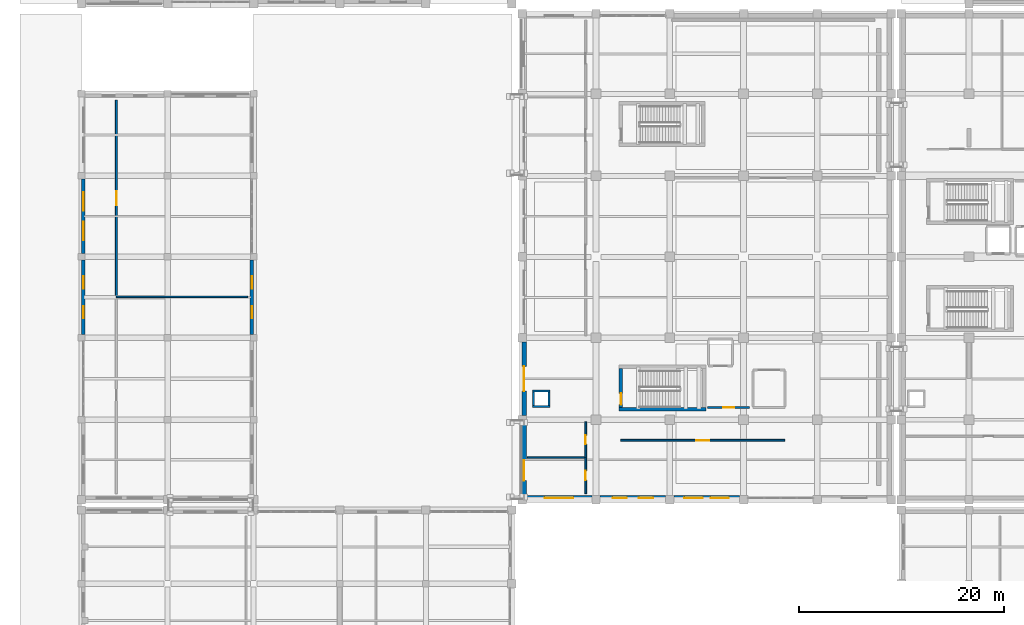
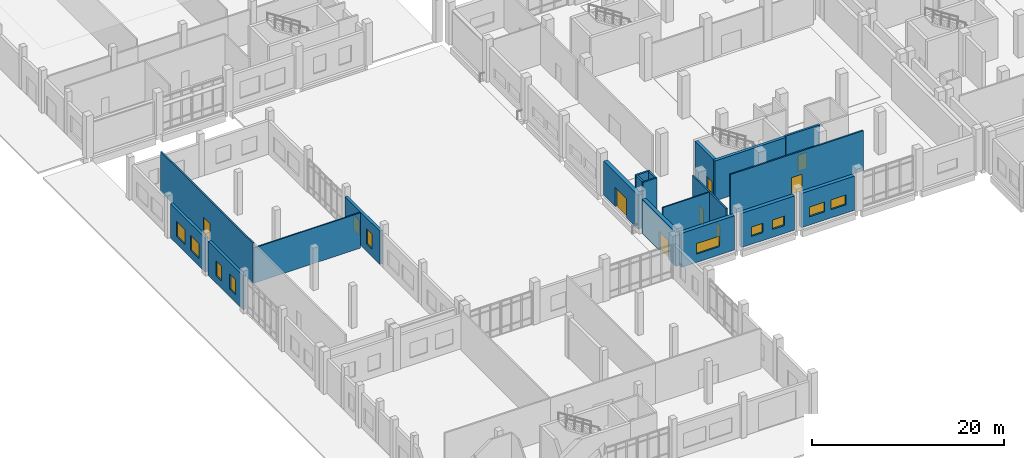
# One storey, part 52 of 79: 21 walls, 11 windows, 8 doors, 19 openings.
"""IFC4 building model written with IfcOpenShell, lengths in metres."""

import ifcopenshell
import ifcopenshell.guid

model = None  # the IFC model being written
_history = None  # IfcOwnerHistory: only IFC2X3 demands one
_inside = {}  # id of a spatial element -> (the spatial element, [elements in it])
_under = {}  # id of a project, library or spatial element -> (it, [spatial elements below it])
_declared = {}  # id of a project -> (the project, [libraries it declares])
_typed = {}  # id of a type object -> (the type object, [elements of that type])
_made_of = {}  # id of a material, layer set ... -> (it, [elements and type objects made of it])


def new_model(schema):
    """Start an empty IFC model of exactly this schema.

    Asked for "IFC4X3", IfcOpenShell would pick the latest addendum, in which some entities
    have other attributes; the version numbers below select the first issue.
    IFC2X3 requires an IfcOwnerHistory on every rooted entity: one is made here for all.
    """
    global model, _history
    if schema == "IFC4X3":
        model = ifcopenshell.file(schema_version=(4, 3, 0, 0))
    else:
        model = ifcopenshell.file(schema=schema)
    _inside.clear()
    _under.clear()
    _declared.clear()
    _typed.clear()
    _made_of.clear()
    _history = None
    if model.schema == "IFC2X3":
        org = make("IfcOrganization", Name="unknown")
        user = make(
            "IfcPersonAndOrganization",
            ThePerson=make("IfcPerson", FamilyName="unknown"),
            TheOrganization=org,
        )
        app = make(
            "IfcApplication",
            ApplicationDeveloper=org,
            Version="unknown",
            ApplicationFullName="unknown",
            ApplicationIdentifier="unknown",
        )
        _history = make(
            "IfcOwnerHistory",
            OwningUser=user,
            OwningApplication=app,
            ChangeAction="ADDED",
            CreationDate=0,
        )
    return model


def make(cls, **values):
    """One entity of the class cls with the attributes given. An attribute that is None is left unset."""
    return model.create_entity(
        cls, **{name: value for name, value in values.items() if value is not None}
    )


def rooted(cls, **values):
    """An entity with a GlobalId (a new one), such as an element, a storey or a relation."""
    return make(cls, GlobalId=ifcopenshell.guid.new(), OwnerHistory=_history, **values)


def si_unit(unit_type, name, prefix=None):
    """IfcSIUnit, for example si_unit("LENGTHUNIT", "METRE", prefix="MILLI")."""
    return make("IfcSIUnit", UnitType=unit_type, Prefix=prefix, Name=name)


def assignment(units):
    """IfcUnitAssignment: the units of a project."""
    return None if units is None else make("IfcUnitAssignment", Units=units)


def point(xyz):
    """IfcCartesianPoint."""
    return None if xyz is None else make("IfcCartesianPoint", Coordinates=xyz)


def direction(xyz):
    """IfcDirection."""
    return None if xyz is None else make("IfcDirection", DirectionRatios=xyz)


def frame(location, z_axis=None, x_axis=None):
    """IfcAxis2Placement3D, a coordinate frame: its origin and axes. An axis left out is left unset."""
    return make(
        "IfcAxis2Placement3D",
        Location=point(location),
        Axis=direction(z_axis),
        RefDirection=direction(x_axis),
    )


def frame_2d(location, x_axis=None):
    """IfcAxis2Placement2D, a coordinate frame in the plane: its origin and x axis."""
    return make(
        "IfcAxis2Placement2D", Location=point(location), RefDirection=direction(x_axis)
    )


def origin():
    """The frame at (0, 0, 0) with its axes left unset."""
    return frame((0.0, 0.0, 0.0))


def place(relative_to, where):
    """IfcLocalPlacement: puts the frame where relative to a parent placement (None: the world)."""
    return make(
        "IfcLocalPlacement", PlacementRelTo=relative_to, RelativePlacement=where
    )


def context(
    kind, dimensions, precision=None, world=None, true_north=None, identifier=None
):
    """IfcGeometricRepresentationContext, for example the 3D "Model" context."""
    return make(
        "IfcGeometricRepresentationContext",
        ContextIdentifier=identifier,
        ContextType=kind,
        CoordinateSpaceDimension=dimensions,
        Precision=precision,
        WorldCoordinateSystem=world,
        TrueNorth=true_north,
    )


def subcontext(parent, identifier, kind, view, scale=None):
    """IfcGeometricRepresentationSubContext, for example "Body" below "Model"."""
    return make(
        "IfcGeometricRepresentationSubContext",
        ContextIdentifier=identifier,
        ContextType=kind,
        ParentContext=parent,
        TargetScale=scale,
        TargetView=view,
    )


def project(units=None, contexts=None):
    """IfcProject with its units and contexts."""
    return rooted(
        "IfcProject",
        Name="project",
        RepresentationContexts=contexts,
        UnitsInContext=assignment(units),
    )


def spatial(cls, under=None, at=None, **own):
    """A site, building, storey or space (cls), placed at a placement, below another one or the project."""
    s = rooted(cls, ObjectPlacement=at, **own)
    if under is not None:
        _under.setdefault(under.id(), (under, []))[1].append(s)
    return s


def profile(cls, at=None, kind="AREA", **sizes):
    """A parametric profile (cls). Its sizes go by their IFC names, for example OverallWidth=200.0."""
    return make(cls, ProfileType=kind, Position=at, **sizes)


def rectangle(**sizes):
    """IfcRectangleProfileDef."""
    return profile("IfcRectangleProfileDef", **sizes)


def extrude(swept, where, along, depth):
    """IfcExtrudedAreaSolid: the profile swept, set in the frame where, extruded along a direction by depth."""
    return make(
        "IfcExtrudedAreaSolid",
        SweptArea=swept,
        Position=where,
        ExtrudedDirection=direction(along),
        Depth=depth,
    )


def shape(context_of_items, identifier, shape_type, items):
    """IfcShapeRepresentation: the items that make up one representation, for example the "Body"."""
    return make(
        "IfcShapeRepresentation",
        ContextOfItems=context_of_items,
        RepresentationIdentifier=identifier,
        RepresentationType=shape_type,
        Items=items,
    )


def material(Name=None, Category=None):
    """IfcMaterial."""
    return make("IfcMaterial", Name=Name, Category=Category)


def layer(
    of_material, thickness, ventilated=None, Name=None, Category=None, Priority=None
):
    """IfcMaterialLayer: one layer of a wall or slab, of a material (None: an air gap)."""
    return make(
        "IfcMaterialLayer",
        Material=of_material,
        LayerThickness=thickness,
        IsVentilated=ventilated,
        Name=Name,
        Category=Category,
        Priority=Priority,
    )


def layer_set(layers, Name=None):
    """IfcMaterialLayerSet."""
    return make("IfcMaterialLayerSet", MaterialLayers=layers, LayerSetName=Name)


def made_of(thing, what):
    """Note that an element or type object is made of a material, layer set ...; save() writes the relation."""
    if what is not None:
        _made_of.setdefault(what.id(), (what, []))[1].append(thing)
    return thing


def type_object(cls, material=None, **own):
    """A type object (cls), such as IfcWallType, which elements share."""
    return made_of(rooted(cls, **own), material)


def element(
    cls,
    number,
    at=None,
    inside=None,
    cuts=None,
    type_object=None,
    material=None,
    context=None,
    identifier="Body",
    shape_type=None,
    held_by="IfcProductDefinitionShape",
    body=None,
    shapes=None,
    **own,
):
    """One element of the class cls, such as IfcWall. Its Tag is "e" and its number.

    at: its placement. inside: the storey or other place that contains it. cuts: it is an
    opening in that element (IfcRelVoidsElement). A single representation is given by context,
    identifier, shape_type and body (its items); several are given by shapes. held_by: the class
    of the entity that holds the representations. save() writes the other relations.
    """
    e = rooted(cls, Tag="e%d" % number, ObjectPlacement=at, **own)
    if body is not None:
        shapes = [shape(context, identifier, shape_type, body)]
    if shapes is not None:
        e.Representation = make(held_by, Representations=shapes)
    if inside is not None:
        _inside.setdefault(inside.id(), (inside, []))[1].append(e)
    if cuts is not None:
        rooted(
            "IfcRelVoidsElement", RelatingBuildingElement=cuts, RelatedOpeningElement=e
        )
    if type_object is not None:
        _typed.setdefault(type_object.id(), (type_object, []))[1].append(e)
    return made_of(e, material)


def fill(opening, filler):
    """IfcRelFillsElement: the door or window that sits in an opening."""
    return rooted(
        "IfcRelFillsElement",
        RelatingOpeningElement=opening,
        RelatedBuildingElement=filler,
    )


def aggregate(whole, parts):
    """IfcRelAggregates: a whole, such as a stair, and the parts it consists of."""
    return rooted("IfcRelAggregates", RelatingObject=whole, RelatedObjects=parts)


def save(model, path):
    """Write the relations noted so far, then the file.

    IfcRelAggregates (storeys below a building ...), IfcRelContainedInSpatialStructure (elements
    in a storey), IfcRelDefinesByType, IfcRelAssociatesMaterial and IfcRelDeclares: one each for
    every whole, place, type object, material and project.
    """
    for whole, parts in _under.values():
        aggregate(whole, parts)
    for where, things in _inside.values():
        rooted(
            "IfcRelContainedInSpatialStructure",
            RelatedElements=things,
            RelatingStructure=where,
        )
    for kind, things in _typed.values():
        rooted("IfcRelDefinesByType", RelatedObjects=things, RelatingType=kind)
    for what, things in _made_of.values():
        rooted("IfcRelAssociatesMaterial", RelatedObjects=things, RelatingMaterial=what)
    for by, libraries in _declared.values():
        rooted("IfcRelDeclares", RelatingContext=by, RelatedDefinitions=libraries)
    model.write(path)


model = new_model("IFC4")

# Units and contexts
model_context = context("Model", 3, precision=1e-05, world=origin(), true_north=direction((0.0, 1.0)))
body_context = subcontext(model_context, "Body", "Model", "MODEL_VIEW")
ifc_project = project(units=[si_unit("LENGTHUNIT", "METRE"), si_unit("AREAUNIT", "SQUARE_METRE"), si_unit("VOLUMEUNIT", "CUBIC_METRE"), si_unit("PLANEANGLEUNIT", "RADIAN"), si_unit("MASSUNIT", "GRAM", prefix="KILO")], contexts=[model_context])

# Site, building, storey
site_placement = place(None, origin())
site = spatial("IfcSite", under=ifc_project, at=site_placement, CompositionType="ELEMENT")
building_placement = place(site_placement, origin())
building = spatial("IfcBuilding", under=site, at=building_placement, Name="Kelarvand Opera House", CompositionType="ELEMENT")
storey_placement = place(building_placement, origin())
storey = spatial("IfcBuildingStorey", under=building, at=storey_placement, Name="L00", CompositionType="ELEMENT", Elevation=0.0)

# Walls
ifc_material_1 = material(Name="Acoustic double-stud gypsum partition")
ifc_layer_1 = layer(ifc_material_1, 0.14990234375, Name="Acoustic double-stud gypsum partition")
ifc_layer_set_1 = layer_set([ifc_layer_1], Name="Acoustic double-stud gypsum partition")
wall_type_1 = type_object("IfcWallType", Name="Acoustic Room Partition Wall 150", PredefinedType="PARTITIONING", material=ifc_layer_set_1)
wall_1_placement = place(storey_placement, frame((52.5, 42.89990234375, 0.0), z_axis=(0.0, 0.0, 1.0), x_axis=(1.0, 0.0, 0.0)))
element("IfcWall", 1, at=wall_1_placement, inside=storey, type_object=wall_type_1, Name="V2 L00 Partition Wall IW-150 (270)", PredefinedType="PARTITIONING", context=body_context, shape_type="SweptSolid", body=[
    extrude(rectangle(XDim=5.699951171875, YDim=0.14990234375, at=frame_2d((2.85009765625, 0.0))), origin(), (0.0, 0.0, 1.0), 5.092041015625),
])
wall_2_placement = place(storey_placement, frame((12.39990234375, 58.60009765625, 0.0), z_axis=(0.0, 0.0, 1.0), x_axis=(1.0, 0.0, 0.0)))
element("IfcWall", 2, at=wall_2_placement, inside=storey, type_object=wall_type_1, Name="V4 L00 Partition Wall IW-150 (297)", PredefinedType="PARTITIONING", context=body_context, shape_type="SweptSolid", body=[
    extrude(rectangle(XDim=12.800048828125, YDim=0.14990234375, at=frame_2d((6.39990234375, 0.0))), origin(), (0.0, 0.0, 1.0), 4.491943359375),
])
ifc_material_2 = material(Name="Concrete C40/50", Category="concrete")
ifc_layer_2 = layer(ifc_material_2, 0.35009765625, Name="Concrete C40/50", Category="concrete")
ifc_layer_set_2 = layer_set([ifc_layer_2], Name="Concrete C40/50")
wall_type_2 = type_object("IfcWallType", Name="Core Stair and Lift Shear Wall 350", PredefinedType="SHEAR", material=ifc_layer_set_2)
wall_3_placement = place(storey_placement, frame((61.449951171875, 47.625, 0.0), z_axis=(0.0, 0.0, 1.0), x_axis=(1.0, 0.0, 0.0)))
element("IfcWall", 3, at=wall_3_placement, inside=storey, type_object=wall_type_2, Name="C2 Stair Core Shear Wall S L00", PredefinedType="SHEAR", context=body_context, shape_type="SweptSolid", body=[
    extrude(rectangle(XDim=8.5, YDim=0.35009765625, at=frame_2d((4.25, 0.0))), origin(), (0.0, 0.0, 1.0), 5.10009765625),
])

# Wall, opening, door
wall_4_placement = place(storey_placement, frame((61.625, 47.800048828125, 0.0), z_axis=(0.0, 0.0, 1.0), x_axis=(0.0, 1.0, 0.0)))
wall_4 = element("IfcWall", 4, at=wall_4_placement, inside=storey, type_object=wall_type_2, Name="C2 Stair Core Shear Wall W L00", PredefinedType="SHEAR", context=body_context, shape_type="SweptSolid", body=[
    extrude(rectangle(XDim=3.800048828125, YDim=0.35009765625, at=frame_2d((1.89990234375, 0.0))), origin(), (0.0, 0.0, 1.0), 5.10009765625),
])
opening_1_placement = place(wall_4_placement, frame((0.280029296875, 0.0, 0.0)))
opening_1 = element("IfcOpeningElement", 5, at=opening_1_placement, cuts=wall_4, Name="Opening FD-01", PredefinedType="OPENING", context=body_context, shape_type="SweptSolid", body=[
    extrude(rectangle(XDim=1.10009765625, YDim=2.080078125, at=frame_2d((0.550048828125, 1.0400390625))), frame((0.0, 0.18505859375, 0.0), z_axis=(0.0, -1.0, 0.0), x_axis=(1.0, 0.0, 0.0)), (0.0, 0.0, 1.0), 0.3701171875),
])
ifc_material_3 = material(Name="Fire-rated brushed stainless steel", Category="steel")
door_type_1 = type_object("IfcDoorType", Name="Steel Fire-Rated Stair and FF Lobby Door 1100x2080", OperationType="NOTDEFINED", PredefinedType="DOOR", material=ifc_material_3)
door_1_placement = place(opening_1_placement, origin())
door_1 = element("IfcDoor", 6, at=door_1_placement, inside=storey, type_object=door_type_1, Name="C2 Stair ST-02 Fire Door L00", OperationType="SINGLE_SWING_LEFT", OverallHeight=2.080078125, OverallWidth=1.10009765625, PredefinedType="DOOR", context=body_context, shape_type="SweptSolid", body=[
    extrude(rectangle(XDim=1.10009765625, YDim=2.080078125, at=frame_2d((0.550048828125, 1.0400390625))), frame((0.0, 0.02490234375, 0.0), z_axis=(0.0, -1.0, 0.0), x_axis=(1.0, 0.0, 0.0)), (0.0, 0.0, 1.0), 0.050048828125),
])
fill(opening_1, door_1)

ifc_material_4 = material(Name="Concrete C35/45", Category="concrete")
ifc_layer_3 = layer(ifc_material_4, 0.179931640625, Name="Concrete C35/45", Category="concrete")
ifc_layer_set_3 = layer_set([ifc_layer_3], Name="Concrete C35/45")
wall_type_3 = type_object("IfcWallType", Name="Corridor Fire-Rated Partition Wall 180 EI90", PredefinedType="PARTITIONING", material=ifc_layer_set_3)
wall_5_placement = place(storey_placement, frame((61.60009765625, 44.60009765625, 0.0), z_axis=(0.0, 0.0, 1.0), x_axis=(1.0, 0.0, 0.0)))
wall_5 = element("IfcWall", 7, at=wall_5_placement, inside=storey, type_object=wall_type_3, Name="V2 L00 Partition Wall IW-90 (263)", PredefinedType="PARTITIONING", context=body_context, shape_type="SweptSolid", body=[
    extrude(rectangle(XDim=16.0, YDim=0.179931640625, at=frame_2d((8.0, 0.0))), origin(), (0.0, 0.0, 1.0), 5.092041015625),
])
opening_2_placement = place(wall_5_placement, frame((7.360107421875, 0.0, 0.0)))
opening_2 = element("IfcOpeningElement", 8, at=opening_2_placement, cuts=wall_5, Name="Opening D-11", PredefinedType="OPENING", context=body_context, shape_type="SweptSolid", body=[
    extrude(rectangle(XDim=1.280029296875, YDim=2.139892578125, at=frame_2d((0.64013671875, 1.06982421875))), frame((0.0, 0.10009765625, 0.0), z_axis=(0.0, -1.0, 0.0), x_axis=(1.0, 0.0, 0.0)), (0.0, 0.0, 1.0), 0.199951171875),
])
ifc_material_5 = material(Name="Acoustic walnut-veneered hardwood", Category="wood")
door_type_2 = type_object("IfcDoorType", Name="Instrument Store Leaf-and-Half Door 1280x2140", OperationType="NOTDEFINED", PredefinedType="DOOR", material=ifc_material_5)
door_2_placement = place(opening_2_placement, origin())
door_2 = element("IfcDoor", 9, at=door_2_placement, inside=storey, type_object=door_type_2, Name="V2 L00 Door D-11 (112)", OperationType="SINGLE_SWING_RIGHT", OverallHeight=2.139892578125, OverallWidth=1.280029296875, PredefinedType="DOOR", context=body_context, shape_type="SweptSolid", body=[
    extrude(rectangle(XDim=1.280029296875, YDim=2.139892578125, at=frame_2d((0.64013671875, 1.06982421875))), frame((0.0, 0.02490234375, 0.0), z_axis=(0.0, -1.0, 0.0), x_axis=(1.0, 0.0, 0.0)), (0.0, 0.0, 1.0), 0.050048828125),
])
fill(opening_2, door_2)

wall_6_placement = place(storey_placement, frame((58.199951171875, 39.39990234375, 0.0), z_axis=(0.0, 0.0, 1.0), x_axis=(0.0, 1.0, 0.0)))
wall_6 = element("IfcWall", 10, at=wall_6_placement, inside=storey, type_object=wall_type_3, Name="V2 L00 Partition Wall IW-90 (269)", PredefinedType="PARTITIONING", context=body_context, shape_type="SweptSolid", body=[
    extrude(rectangle(XDim=3.5, YDim=0.179931640625, at=frame_2d((1.75, 0.0))), origin(), (0.0, 0.0, 1.0), 5.092041015625),
])
opening_3_placement = place(wall_6_placement, frame((1.2900390625, 0.0, 0.0)))
opening_3 = element("IfcOpeningElement", 11, at=opening_3_placement, cuts=wall_6, Name="Opening D-01", PredefinedType="OPENING", context=body_context, shape_type="SweptSolid", body=[
    extrude(rectangle(XDim=0.919921875, YDim=2.050048828125, at=frame_2d((0.4599609375, 1.02490234375))), frame((0.0, 0.10009765625, 0.0), z_axis=(0.0, -1.0, 0.0), x_axis=(1.0, 0.0, 0.0)), (0.0, 0.0, 1.0), 0.199951171875),
])
door_type_3 = type_object("IfcDoorType", Name="Solid Timber Dressing and WC Door 920x2050", OperationType="NOTDEFINED", PredefinedType="DOOR", material=ifc_material_5)
door_3_placement = place(opening_3_placement, origin())
door_3 = element("IfcDoor", 12, at=door_3_placement, inside=storey, type_object=door_type_3, Name="V2 L00 Door D-01 (115)", OperationType="SINGLE_SWING_LEFT", OverallHeight=2.050048828125, OverallWidth=0.919921875, PredefinedType="DOOR", context=body_context, shape_type="SweptSolid", body=[
    extrude(rectangle(XDim=0.919921875, YDim=2.050048828125, at=frame_2d((0.4599609375, 1.02490234375))), frame((0.0, 0.02490234375, 0.0), z_axis=(0.0, -1.0, 0.0), x_axis=(1.0, 0.0, 0.0)), (0.0, 0.0, 1.0), 0.050048828125),
])
fill(opening_3, door_3)

wall_7_placement = place(storey_placement, frame((58.199951171875, 42.89990234375, 0.0), z_axis=(0.0, 0.0, 1.0), x_axis=(0.0, 1.0, 0.0)))
wall_7 = element("IfcWall", 13, at=wall_7_placement, inside=storey, type_object=wall_type_3, Name="V2 L00 Partition Wall IW-90 (271)", PredefinedType="PARTITIONING", context=body_context, shape_type="SweptSolid", body=[
    extrude(rectangle(XDim=3.5, YDim=0.179931640625, at=frame_2d((1.75, 0.0))), origin(), (0.0, 0.0, 1.0), 5.092041015625),
])
opening_4_placement = place(wall_7_placement, frame((1.2900390625, 0.0, 0.0)))
opening_4 = element("IfcOpeningElement", 14, at=opening_4_placement, cuts=wall_7, Name="Opening D-01", PredefinedType="OPENING", context=body_context, shape_type="SweptSolid", body=[
    extrude(rectangle(XDim=0.919921875, YDim=2.050048828125, at=frame_2d((0.4599609375, 1.02490234375))), frame((0.0, 0.10009765625, 0.0), z_axis=(0.0, -1.0, 0.0), x_axis=(1.0, 0.0, 0.0)), (0.0, 0.0, 1.0), 0.199951171875),
])
door_4_placement = place(opening_4_placement, origin())
door_4 = element("IfcDoor", 15, at=door_4_placement, inside=storey, type_object=door_type_3, Name="V2 L00 Door D-01 (116)", OperationType="SINGLE_SWING_RIGHT", OverallHeight=2.050048828125, OverallWidth=0.919921875, PredefinedType="DOOR", context=body_context, shape_type="SweptSolid", body=[
    extrude(rectangle(XDim=0.919921875, YDim=2.050048828125, at=frame_2d((0.4599609375, 1.02490234375))), frame((0.0, 0.02490234375, 0.0), z_axis=(0.0, -1.0, 0.0), x_axis=(1.0, 0.0, 0.0)), (0.0, 0.0, 1.0), 0.050048828125),
])
fill(opening_4, door_4)

wall_8_placement = place(storey_placement, frame((12.39990234375, 58.60009765625, 0.0), z_axis=(0.0, 0.0, 1.0), x_axis=(0.0, 1.0, 0.0)))
wall_8 = element("IfcWall", 16, at=wall_8_placement, inside=storey, type_object=wall_type_3, Name="V4 L00 Partition Wall IW-90 (298)", PredefinedType="PARTITIONING", context=body_context, shape_type="SweptSolid", body=[
    extrude(rectangle(XDim=19.199951171875, YDim=0.179931640625, at=frame_2d((9.60009765625, 0.0))), origin(), (0.0, 0.0, 1.0), 5.092041015625),
])
opening_5_placement = place(wall_8_placement, frame((8.925048828125, 0.0, 0.0)))
opening_5 = element("IfcOpeningElement", 17, at=opening_5_placement, cuts=wall_8, Name="Opening D-12", PredefinedType="OPENING", context=body_context, shape_type="SweptSolid", body=[
    extrude(rectangle(XDim=1.35009765625, YDim=2.159912109375, at=frame_2d((0.675048828125, 1.080078125))), frame((0.0, 0.10009765625, 0.0), z_axis=(0.0, -1.0, 0.0), x_axis=(1.0, 0.0, 0.0)), (0.0, 0.0, 1.0), 0.199951171875),
])
door_type_4 = type_object("IfcDoorType", Name="Wardrobe Studio Leaf-and-Half Door 1350x2160", OperationType="NOTDEFINED", PredefinedType="DOOR", material=ifc_material_5)
door_5_placement = place(opening_5_placement, origin())
door_5 = element("IfcDoor", 18, at=door_5_placement, inside=storey, type_object=door_type_4, Name="V4 L00 Door D-12 (130)", OperationType="SINGLE_SWING_LEFT", OverallHeight=2.159912109375, OverallWidth=1.35009765625, PredefinedType="DOOR", context=body_context, shape_type="SweptSolid", body=[
    extrude(rectangle(XDim=1.35009765625, YDim=2.159912109375, at=frame_2d((0.675048828125, 1.080078125))), frame((0.0, 0.02490234375, 0.0), z_axis=(0.0, -1.0, 0.0), x_axis=(1.0, 0.0, 0.0)), (0.0, 0.0, 1.0), 0.050048828125),
])
fill(opening_5, door_5)

ifc_layer_4 = layer(ifc_material_4, 0.239990234375, Name="Concrete C35/45", Category="concrete")
ifc_layer_set_4 = layer_set([ifc_layer_4], Name="Concrete C35/45")
wall_type_4 = type_object("IfcWallType", Name="Firefighting Lobby Partition Wall 240 EI120", PredefinedType="PARTITIONING", material=ifc_layer_set_4)
wall_9_placement = place(storey_placement, frame((70.10009765625, 47.800048828125, 0.0), z_axis=(0.0, 0.0, 1.0), x_axis=(1.0, 0.0, 0.0)))
wall_9 = element("IfcWall", 19, at=wall_9_placement, inside=storey, type_object=wall_type_4, Name="V2 L00 Partition Wall IW-120 (229)", PredefinedType="PARTITIONING", context=body_context, shape_type="SweptSolid", body=[
    extrude(rectangle(XDim=4.099853515625, YDim=0.239990234375, at=frame_2d((2.0498046875, 0.0))), origin(), (0.0, 0.0, 1.0), 5.092041015625),
])
opening_6_placement = place(wall_9_placement, frame((1.5, 0.0, 0.0)))
opening_6 = element("IfcOpeningElement", 20, at=opening_6_placement, cuts=wall_9, Name="Opening FD-01", PredefinedType="OPENING", context=body_context, shape_type="SweptSolid", body=[
    extrude(rectangle(XDim=1.10009765625, YDim=2.080078125, at=frame_2d((0.550048828125, 1.0400390625))), frame((0.0, 0.1298828125, 0.0), z_axis=(0.0, -1.0, 0.0), x_axis=(1.0, 0.0, 0.0)), (0.0, 0.0, 1.0), 0.260009765625),
])
door_6_placement = place(opening_6_placement, origin())
door_6 = element("IfcDoor", 21, at=door_6_placement, inside=storey, type_object=door_type_1, Name="V2 L00 Door FD-01 (97)", OperationType="SINGLE_SWING_RIGHT", OverallHeight=2.080078125, OverallWidth=1.10009765625, PredefinedType="DOOR", context=body_context, shape_type="SweptSolid", body=[
    extrude(rectangle(XDim=1.10009765625, YDim=2.080078125, at=frame_2d((0.550048828125, 1.0400390625))), frame((0.0, 0.02490234375, 0.0), z_axis=(0.0, -1.0, 0.0), x_axis=(1.0, 0.0, 0.0)), (0.0, 0.0, 1.0), 0.050048828125),
])
fill(opening_6, door_6)

# Wall, openings, windows
ifc_layer_5 = layer(ifc_material_4, 0.320068359375, Name="Concrete C35/45", Category="concrete")
ifc_layer_set_5 = layer_set([ifc_layer_5], Name="Concrete C35/45")
wall_type_5 = type_object("IfcWallType", Name="Insulated Buff Brick Cavity Wall 320", PredefinedType="SOLIDWALL", material=ifc_layer_set_5)
wall_10_placement = place(storey_placement, frame((9.179931640625, 54.925048828125, 0.0), z_axis=(0.0, 0.0, 1.0), x_axis=(0.0, 1.0, 0.0)))
wall_10 = element("IfcWall", 22, at=wall_10_placement, inside=storey, type_object=wall_type_5, Name="V4 L00 Exterior Wall EW-320 (521)", PredefinedType="SOLIDWALL", context=body_context, shape_type="SweptSolid", body=[
    extrude(rectangle(XDim=7.25, YDim=0.320068359375, at=frame_2d((3.625, 0.0))), origin(), (0.0, 0.0, 1.0), 4.342041015625),
])
opening_7_placement = place(wall_10_placement, frame((1.574951171875, 0.0, 0.949951171875)))
opening_7 = element("IfcOpeningElement", 23, at=opening_7_placement, cuts=wall_10, Name="Opening WN-10", PredefinedType="OPENING", context=body_context, shape_type="SweptSolid", body=[
    extrude(rectangle(XDim=1.199951171875, YDim=1.89990234375, at=frame_2d((0.60009765625, 0.949951171875))), frame((0.0, 0.169921875, 0.0), z_axis=(0.0, -1.0, 0.0), x_axis=(1.0, 0.0, 0.0)), (0.0, 0.0, 1.0), 0.340087890625),
])
opening_8_placement = place(wall_10_placement, frame((4.47509765625, 0.0, 0.949951171875)))
opening_8 = element("IfcOpeningElement", 24, at=opening_8_placement, cuts=wall_10, Name="Opening WN-10", PredefinedType="OPENING", context=body_context, shape_type="SweptSolid", body=[
    extrude(rectangle(XDim=1.199951171875, YDim=1.89990234375, at=frame_2d((0.60009765625, 0.949951171875))), frame((0.0, 0.169921875, 0.0), z_axis=(0.0, -1.0, 0.0), x_axis=(1.0, 0.0, 0.0)), (0.0, 0.0, 1.0), 0.340087890625),
])
ifc_material_6 = material(Name="Thermally broken aluminium and low-E double glazing", Category="aluminium")
window_type_1 = type_object("IfcWindowType", Name="Recessed Aluminium Thermal Window 1200x1900 WN-10", PartitioningType="SINGLE_PANEL", PredefinedType="WINDOW", material=ifc_material_6)
window_1_placement = place(opening_7_placement, origin())
window_1 = element("IfcWindow", 25, at=window_1_placement, inside=storey, type_object=window_type_1, Name="V4 L00 Facade Window WN-10 (220)", OverallHeight=1.89990234375, OverallWidth=1.199951171875, PartitioningType="SINGLE_PANEL", PredefinedType="WINDOW", context=body_context, shape_type="SweptSolid", body=[
    extrude(rectangle(XDim=1.199951171875, YDim=1.89990234375, at=frame_2d((0.60009765625, 0.949951171875))), frame((0.0, 0.030029296875, 0.0), z_axis=(0.0, -1.0, 0.0), x_axis=(1.0, 0.0, 0.0)), (0.0, 0.0, 1.0), 0.06005859375),
])
fill(opening_7, window_1)
window_2_placement = place(opening_8_placement, origin())
window_2 = element("IfcWindow", 26, at=window_2_placement, inside=storey, type_object=window_type_1, Name="V4 L00 Facade Window WN-10 (221)", OverallHeight=1.89990234375, OverallWidth=1.199951171875, PartitioningType="SINGLE_PANEL", PredefinedType="WINDOW", context=body_context, shape_type="SweptSolid", body=[
    extrude(rectangle(XDim=1.199951171875, YDim=1.89990234375, at=frame_2d((0.60009765625, 0.949951171875))), frame((0.0, 0.030029296875, 0.0), z_axis=(0.0, -1.0, 0.0), x_axis=(1.0, 0.0, 0.0)), (0.0, 0.0, 1.0), 0.06005859375),
])
fill(opening_8, window_2)

wall_11_placement = place(storey_placement, frame((9.179931640625, 62.824951171875, 0.0), z_axis=(0.0, 0.0, 1.0), x_axis=(0.0, 1.0, 0.0)))
wall_11 = element("IfcWall", 27, at=wall_11_placement, inside=storey, type_object=wall_type_5, Name="V4 L00 Exterior Wall EW-320 (522)", PredefinedType="SOLIDWALL", context=body_context, shape_type="SweptSolid", body=[
    extrude(rectangle(XDim=7.25, YDim=0.320068359375, at=frame_2d((3.625, 0.0))), origin(), (0.0, 0.0, 1.0), 4.342041015625),
])
opening_9_placement = place(wall_11_placement, frame((1.27490234375, 0.0, 0.949951171875)))
opening_9 = element("IfcOpeningElement", 28, at=opening_9_placement, cuts=wall_11, Name="Opening WN-12", PredefinedType="OPENING", context=body_context, shape_type="SweptSolid", body=[
    extrude(rectangle(XDim=1.800048828125, YDim=1.89990234375, at=frame_2d((0.89990234375, 0.949951171875))), frame((0.0, 0.169921875, 0.0), z_axis=(0.0, -1.0, 0.0), x_axis=(1.0, 0.0, 0.0)), (0.0, 0.0, 1.0), 0.340087890625),
])
opening_10_placement = place(wall_11_placement, frame((4.175048828125, 0.0, 0.949951171875)))
opening_10 = element("IfcOpeningElement", 29, at=opening_10_placement, cuts=wall_11, Name="Opening WN-12", PredefinedType="OPENING", context=body_context, shape_type="SweptSolid", body=[
    extrude(rectangle(XDim=1.800048828125, YDim=1.89990234375, at=frame_2d((0.89990234375, 0.949951171875))), frame((0.0, 0.169921875, 0.0), z_axis=(0.0, -1.0, 0.0), x_axis=(1.0, 0.0, 0.0)), (0.0, 0.0, 1.0), 0.340087890625),
])
window_type_2 = type_object("IfcWindowType", Name="Recessed Aluminium Thermal Window 1800x1900 WN-12", PartitioningType="SINGLE_PANEL", PredefinedType="WINDOW", material=ifc_material_6)
window_3_placement = place(opening_9_placement, origin())
window_3 = element("IfcWindow", 30, at=window_3_placement, inside=storey, type_object=window_type_2, Name="V4 L00 Facade Window WN-12 (222)", OverallHeight=1.89990234375, OverallWidth=1.800048828125, PartitioningType="SINGLE_PANEL", PredefinedType="WINDOW", context=body_context, shape_type="SweptSolid", body=[
    extrude(rectangle(XDim=1.800048828125, YDim=1.89990234375, at=frame_2d((0.89990234375, 0.949951171875))), frame((0.0, 0.030029296875, 0.0), z_axis=(0.0, -1.0, 0.0), x_axis=(1.0, 0.0, 0.0)), (0.0, 0.0, 1.0), 0.06005859375),
])
fill(opening_9, window_3)
window_4_placement = place(opening_10_placement, origin())
window_4 = element("IfcWindow", 31, at=window_4_placement, inside=storey, type_object=window_type_2, Name="V4 L00 Facade Window WN-12 (223)", OverallHeight=1.89990234375, OverallWidth=1.800048828125, PartitioningType="SINGLE_PANEL", PredefinedType="WINDOW", context=body_context, shape_type="SweptSolid", body=[
    extrude(rectangle(XDim=1.800048828125, YDim=1.89990234375, at=frame_2d((0.89990234375, 0.949951171875))), frame((0.0, 0.030029296875, 0.0), z_axis=(0.0, -1.0, 0.0), x_axis=(1.0, 0.0, 0.0)), (0.0, 0.0, 1.0), 0.06005859375),
])
fill(opening_10, window_4)

wall_12_placement = place(storey_placement, frame((25.6201171875, 62.175048828125, 0.0), z_axis=(0.0, 0.0, 1.0), x_axis=(0.0, -1.0, 0.0)))
wall_12 = element("IfcWall", 32, at=wall_12_placement, inside=storey, type_object=wall_type_5, Name="V4 L00 Exterior Wall EW-320 (527)", PredefinedType="SOLIDWALL", context=body_context, shape_type="SweptSolid", body=[
    extrude(rectangle(XDim=7.25, YDim=0.320068359375, at=frame_2d((3.625, 0.0))), origin(), (0.0, 0.0, 1.0), 4.241943359375),
])
opening_11_placement = place(wall_12_placement, frame((1.574951171875, 0.0, 0.949951171875)))
opening_11 = element("IfcOpeningElement", 33, at=opening_11_placement, cuts=wall_12, Name="Opening WN-10", PredefinedType="OPENING", context=body_context, shape_type="SweptSolid", body=[
    extrude(rectangle(XDim=1.199951171875, YDim=1.89990234375, at=frame_2d((0.60009765625, 0.949951171875))), frame((0.0, 0.169921875, 0.0), z_axis=(0.0, -1.0, 0.0), x_axis=(1.0, 0.0, 0.0)), (0.0, 0.0, 1.0), 0.340087890625),
])
opening_12_placement = place(wall_12_placement, frame((4.47509765625, 0.0, 0.949951171875)))
opening_12 = element("IfcOpeningElement", 34, at=opening_12_placement, cuts=wall_12, Name="Opening WN-10", PredefinedType="OPENING", context=body_context, shape_type="SweptSolid", body=[
    extrude(rectangle(XDim=1.199951171875, YDim=1.89990234375, at=frame_2d((0.60009765625, 0.949951171875))), frame((0.0, 0.169921875, 0.0), z_axis=(0.0, -1.0, 0.0), x_axis=(1.0, 0.0, 0.0)), (0.0, 0.0, 1.0), 0.340087890625),
])
window_5_placement = place(opening_11_placement, origin())
window_5 = element("IfcWindow", 35, at=window_5_placement, inside=storey, type_object=window_type_1, Name="V4 L00 Facade Window WN-10 (232)", OverallHeight=1.89990234375, OverallWidth=1.199951171875, PartitioningType="SINGLE_PANEL", PredefinedType="WINDOW", context=body_context, shape_type="SweptSolid", body=[
    extrude(rectangle(XDim=1.199951171875, YDim=1.89990234375, at=frame_2d((0.60009765625, 0.949951171875))), frame((0.0, 0.030029296875, 0.0), z_axis=(0.0, -1.0, 0.0), x_axis=(1.0, 0.0, 0.0)), (0.0, 0.0, 1.0), 0.06005859375),
])
fill(opening_11, window_5)
window_6_placement = place(opening_12_placement, origin())
window_6 = element("IfcWindow", 36, at=window_6_placement, inside=storey, type_object=window_type_1, Name="V4 L00 Facade Window WN-10 (233)", OverallHeight=1.89990234375, OverallWidth=1.199951171875, PartitioningType="SINGLE_PANEL", PredefinedType="WINDOW", context=body_context, shape_type="SweptSolid", body=[
    extrude(rectangle(XDim=1.199951171875, YDim=1.89990234375, at=frame_2d((0.60009765625, 0.949951171875))), frame((0.0, 0.030029296875, 0.0), z_axis=(0.0, -1.0, 0.0), x_axis=(1.0, 0.0, 0.0)), (0.0, 0.0, 1.0), 0.06005859375),
])
fill(opening_12, window_6)

# Walls
ifc_layer_6 = layer(ifc_material_4, 0.199951171875, Name="Concrete C35/45", Category="concrete")
ifc_layer_set_6 = layer_set([ifc_layer_6], Name="Concrete C35/45")
wall_type_6 = type_object("IfcWallType", Name="Lift and Riser Shaft Enclosure Wall 200 EI120", PredefinedType="PARTITIONING", material=ifc_layer_set_6)
for number, where, z_axis, x_axis, name in (
    (37, (53.0, 47.89990234375, 0.0), (0.0, 0.0, 1.0), (1.0, 0.0, 0.0), "RSR-V2 L00 Riser Shaft Wall 37"),
    (38, (54.699951171875, 49.39990234375, 0.0), (0.0, 0.0, 1.0), (-1.0, 0.0, 0.0), "RSR-V2 L00 Riser Shaft Wall 38"),
):
    element("IfcWall", number, at=place(storey_placement, frame(where, z_axis=z_axis, x_axis=x_axis)), inside=storey, type_object=wall_type_6, Name=name, PredefinedType="PARTITIONING", context=body_context, shape_type="SweptSolid", body=[
        extrude(rectangle(XDim=1.699951171875, YDim=0.199951171875, at=frame_2d((0.85009765625, 0.0))), origin(), (0.0, 0.0, 1.0), 5.10009765625),
    ])
for number, where, z_axis, x_axis, name in (
    (39, (53.10009765625, 48.0, 0.0), (0.0, 0.0, 1.0), (0.0, 1.0, 0.0), "RSR-V2 L00 Riser Shaft Wall 39"),
    (40, (54.60009765625, 49.300048828125, 0.0), (0.0, 0.0, 1.0), (0.0, -1.0, 0.0), "RSR-V2 L00 Riser Shaft Wall 40"),
):
    element("IfcWall", number, at=place(storey_placement, frame(where, z_axis=z_axis, x_axis=x_axis)), inside=storey, type_object=wall_type_6, Name=name, PredefinedType="PARTITIONING", context=body_context, shape_type="SweptSolid", body=[
        extrude(rectangle(XDim=1.300048828125, YDim=0.199951171875, at=frame_2d((0.64990234375, 0.0))), origin(), (0.0, 0.0, 1.0), 5.10009765625),
    ])

# Wall, opening, door
ifc_layer_7 = layer(ifc_material_4, 0.43994140625, Name="Concrete C35/45", Category="concrete")
ifc_layer_set_7 = layer_set([ifc_layer_7], Name="Concrete C35/45")
wall_type_7 = type_object("IfcWallType", Name="Stage House Acoustic Cavity Wall 440", PredefinedType="SOLIDWALL", material=ifc_layer_set_7)
wall_13_placement = place(storey_placement, frame((52.179931640625, 39.2099609375, 0.0), z_axis=(0.0, 0.0, 1.0), x_axis=(0.0, 1.0, 0.0)))
wall_13 = element("IfcWall", 41, at=wall_13_placement, inside=storey, type_object=wall_type_7, Name="V2 L00 Exterior Wall EW-440 (230)", PredefinedType="SOLIDWALL", context=body_context, shape_type="SweptSolid", body=[
    extrude(rectangle(XDim=6.97998046875, YDim=0.43994140625, at=frame_2d((3.489990234375, 0.0))), origin(), (0.0, 0.0, 1.0), 4.342041015625),
])
opening_13_placement = place(wall_13_placement, frame((1.443115234375, 0.0, 0.0)))
opening_13 = element("IfcOpeningElement", 42, at=opening_13_placement, cuts=wall_13, Name="Opening EX-200", PredefinedType="OPENING", context=body_context, shape_type="SweptSolid", body=[
    extrude(rectangle(XDim=2.0, YDim=2.39990234375, at=frame_2d((1.0, 1.199951171875))), frame((0.0, 0.22998046875, 0.0), z_axis=(0.0, -1.0, 0.0), x_axis=(1.0, 0.0, 0.0)), (0.0, 0.0, 1.0), 0.4599609375),
])
ifc_material_7 = material(Name="Thermally broken bronze-anodised aluminium and safety glass", Category="aluminium")
door_type_5 = type_object("IfcDoorType", Name="Protected Stair Double Final Exit Door 2000x2400", OperationType="NOTDEFINED", PredefinedType="DOOR", material=ifc_material_7)
door_7_placement = place(opening_13_placement, origin())
door_7 = element("IfcDoor", 43, at=door_7_placement, inside=storey, type_object=door_type_5, Name="V2 Ground Final Exit Door E09", OperationType="DOUBLE_DOOR_SINGLE_SWING", OverallHeight=2.39990234375, OverallWidth=2.0, PredefinedType="DOOR", context=body_context, shape_type="SweptSolid", body=[
    extrude(rectangle(XDim=2.0, YDim=2.39990234375, at=frame_2d((1.0, 1.199951171875))), frame((0.0, 0.02490234375, 0.0), z_axis=(0.0, -1.0, 0.0), x_axis=(1.0, 0.0, 0.0)), (0.0, 0.0, 1.0), 0.050048828125),
])
fill(opening_13, door_7)

wall_14_placement = place(storey_placement, frame((52.179931640625, 47.010009765625, 0.0), z_axis=(0.0, 0.0, 1.0), x_axis=(0.0, 1.0, 0.0)))
wall_14 = element("IfcWall", 44, at=wall_14_placement, inside=storey, type_object=wall_type_7, Name="V2 L00 Exterior Wall EW-440 (231)", PredefinedType="SOLIDWALL", context=body_context, shape_type="SweptSolid", body=[
    extrude(rectangle(XDim=7.179931640625, YDim=0.43994140625, at=frame_2d((3.58984375, 0.0))), origin(), (0.0, 0.0, 1.0), 4.342041015625),
])
opening_14_placement = place(wall_14_placement, frame((2.389892578125, 0.0, 0.0)))
opening_14 = element("IfcOpeningElement", 45, at=opening_14_placement, cuts=wall_14, Name="Opening EX-240", PredefinedType="OPENING", context=body_context, shape_type="SweptSolid", body=[
    extrude(rectangle(XDim=2.39990234375, YDim=2.39990234375, at=frame_2d((1.199951171875, 1.199951171875))), frame((0.0, 0.22998046875, 0.0), z_axis=(0.0, -1.0, 0.0), x_axis=(1.0, 0.0, 0.0)), (0.0, 0.0, 1.0), 0.4599609375),
])
door_type_6 = type_object("IfcDoorType", Name="Glazed Bronze Double Final Exit Door 2400x2400", OperationType="NOTDEFINED", PredefinedType="DOOR", material=ifc_material_7)
door_8_placement = place(opening_14_placement, origin())
door_8 = element("IfcDoor", 46, at=door_8_placement, inside=storey, type_object=door_type_6, Name="V2 Ground Final Exit Door E08", OperationType="DOUBLE_DOOR_SINGLE_SWING", OverallHeight=2.39990234375, OverallWidth=2.39990234375, PredefinedType="DOOR", context=body_context, shape_type="SweptSolid", body=[
    extrude(rectangle(XDim=2.39990234375, YDim=2.39990234375, at=frame_2d((1.199951171875, 1.199951171875))), frame((0.0, 0.02490234375, 0.0), z_axis=(0.0, -1.0, 0.0), x_axis=(1.0, 0.0, 0.0)), (0.0, 0.0, 1.0), 0.050048828125),
])
fill(opening_14, door_8)

# Wall, openings, windows
wall_15_placement = place(storey_placement, frame((73.18994140625, 38.97998046875, 0.0), z_axis=(0.0, 0.0, 1.0), x_axis=(-1.0, 0.0, 0.0)))
wall_15 = element("IfcWall", 47, at=wall_15_placement, inside=storey, type_object=wall_type_7, Name="V2 L00 Exterior Wall EW-440 (237)", PredefinedType="SOLIDWALL", context=body_context, shape_type="SweptSolid", body=[
    extrude(rectangle(XDim=6.3798828125, YDim=0.43994140625, at=frame_2d((3.18994140625, 0.0))), origin(), (0.0, 0.0, 1.0), 4.342041015625),
])
opening_15_placement = place(wall_15_placement, frame((1.013916015625, 0.0, 1.050048828125)))
opening_15 = element("IfcOpeningElement", 48, at=opening_15_placement, cuts=wall_15, Name="Opening WN-23", PredefinedType="OPENING", context=body_context, shape_type="SweptSolid", body=[
    extrude(rectangle(XDim=1.800048828125, YDim=1.25, at=frame_2d((0.89990234375, 0.625))), frame((0.0, 0.22998046875, 0.0), z_axis=(0.0, -1.0, 0.0), x_axis=(1.0, 0.0, 0.0)), (0.0, 0.0, 1.0), 0.4599609375),
])
opening_16_placement = place(wall_15_placement, frame((3.56591796875, 0.0, 1.050048828125)))
opening_16 = element("IfcOpeningElement", 49, at=opening_16_placement, cuts=wall_15, Name="Opening WN-23", PredefinedType="OPENING", context=body_context, shape_type="SweptSolid", body=[
    extrude(rectangle(XDim=1.800048828125, YDim=1.25, at=frame_2d((0.89990234375, 0.625))), frame((0.0, 0.22998046875, 0.0), z_axis=(0.0, -1.0, 0.0), x_axis=(1.0, 0.0, 0.0)), (0.0, 0.0, 1.0), 0.4599609375),
])
window_type_3 = type_object("IfcWindowType", Name="Recessed Aluminium Thermal Window 1800x1250 WN-23", PartitioningType="SINGLE_PANEL", PredefinedType="WINDOW", material=ifc_material_6)
window_7_placement = place(opening_15_placement, origin())
window_7 = element("IfcWindow", 50, at=window_7_placement, inside=storey, type_object=window_type_3, Name="V2 L00 Facade Window WN-23 (14)", OverallHeight=1.25, OverallWidth=1.800048828125, PartitioningType="SINGLE_PANEL", PredefinedType="WINDOW", context=body_context, shape_type="SweptSolid", body=[
    extrude(rectangle(XDim=1.800048828125, YDim=1.25, at=frame_2d((0.89990234375, 0.625))), frame((0.0, 0.030029296875, 0.0), z_axis=(0.0, -1.0, 0.0), x_axis=(1.0, 0.0, 0.0)), (0.0, 0.0, 1.0), 0.06005859375),
])
fill(opening_15, window_7)
window_8_placement = place(opening_16_placement, origin())
window_8 = element("IfcWindow", 51, at=window_8_placement, inside=storey, type_object=window_type_3, Name="V2 L00 Facade Window WN-23 (15)", OverallHeight=1.25, OverallWidth=1.800048828125, PartitioningType="SINGLE_PANEL", PredefinedType="WINDOW", context=body_context, shape_type="SweptSolid", body=[
    extrude(rectangle(XDim=1.800048828125, YDim=1.25, at=frame_2d((0.89990234375, 0.625))), frame((0.0, 0.030029296875, 0.0), z_axis=(0.0, -1.0, 0.0), x_axis=(1.0, 0.0, 0.0)), (0.0, 0.0, 1.0), 0.06005859375),
])
fill(opening_16, window_8)

wall_16_placement = place(storey_placement, frame((65.989990234375, 38.97998046875, 0.0), z_axis=(0.0, 0.0, 1.0), x_axis=(-1.0, 0.0, 0.0)))
wall_16 = element("IfcWall", 52, at=wall_16_placement, inside=storey, type_object=wall_type_7, Name="V2 L00 Exterior Wall EW-440 (238)", PredefinedType="SOLIDWALL", context=body_context, shape_type="SweptSolid", body=[
    extrude(rectangle(XDim=6.3798828125, YDim=0.43994140625, at=frame_2d((3.18994140625, 0.0))), origin(), (0.0, 0.0, 1.0), 4.342041015625),
])
opening_17_placement = place(wall_16_placement, frame((1.214111328125, 0.0, 1.0)))
opening_17 = element("IfcOpeningElement", 53, at=opening_17_placement, cuts=wall_16, Name="Opening WN-24", PredefinedType="OPENING", context=body_context, shape_type="SweptSolid", body=[
    extrude(rectangle(XDim=1.39990234375, YDim=1.199951171875, at=frame_2d((0.699951171875, 0.60009765625))), frame((0.0, 0.22998046875, 0.0), z_axis=(0.0, -1.0, 0.0), x_axis=(1.0, 0.0, 0.0)), (0.0, 0.0, 1.0), 0.4599609375),
])
opening_18_placement = place(wall_16_placement, frame((3.76611328125, 0.0, 1.0)))
opening_18 = element("IfcOpeningElement", 54, at=opening_18_placement, cuts=wall_16, Name="Opening WN-24", PredefinedType="OPENING", context=body_context, shape_type="SweptSolid", body=[
    extrude(rectangle(XDim=1.39990234375, YDim=1.199951171875, at=frame_2d((0.699951171875, 0.60009765625))), frame((0.0, 0.22998046875, 0.0), z_axis=(0.0, -1.0, 0.0), x_axis=(1.0, 0.0, 0.0)), (0.0, 0.0, 1.0), 0.4599609375),
])
window_type_4 = type_object("IfcWindowType", Name="Recessed Aluminium Thermal Window 1400x1200 WN-24", PartitioningType="SINGLE_PANEL", PredefinedType="WINDOW", material=ifc_material_6)
window_9_placement = place(opening_17_placement, origin())
window_9 = element("IfcWindow", 55, at=window_9_placement, inside=storey, type_object=window_type_4, Name="V2 L00 Facade Window WN-24 (16)", OverallHeight=1.199951171875, OverallWidth=1.39990234375, PartitioningType="SINGLE_PANEL", PredefinedType="WINDOW", context=body_context, shape_type="SweptSolid", body=[
    extrude(rectangle(XDim=1.39990234375, YDim=1.199951171875, at=frame_2d((0.699951171875, 0.60009765625))), frame((0.0, 0.030029296875, 0.0), z_axis=(0.0, -1.0, 0.0), x_axis=(1.0, 0.0, 0.0)), (0.0, 0.0, 1.0), 0.06005859375),
])
fill(opening_17, window_9)
window_10_placement = place(opening_18_placement, origin())
window_10 = element("IfcWindow", 56, at=window_10_placement, inside=storey, type_object=window_type_4, Name="V2 L00 Facade Window WN-24 (17)", OverallHeight=1.199951171875, OverallWidth=1.39990234375, PartitioningType="SINGLE_PANEL", PredefinedType="WINDOW", context=body_context, shape_type="SweptSolid", body=[
    extrude(rectangle(XDim=1.39990234375, YDim=1.199951171875, at=frame_2d((0.699951171875, 0.60009765625))), frame((0.0, 0.030029296875, 0.0), z_axis=(0.0, -1.0, 0.0), x_axis=(1.0, 0.0, 0.0)), (0.0, 0.0, 1.0), 0.06005859375),
])
fill(opening_18, window_10)

# Wall, opening, window
wall_17_placement = place(storey_placement, frame((58.7900390625, 38.97998046875, 0.0), z_axis=(0.0, 0.0, 1.0), x_axis=(-1.0, 0.0, 0.0)))
wall_17 = element("IfcWall", 57, at=wall_17_placement, inside=storey, type_object=wall_type_7, Name="V2 L00 Exterior Wall EW-440 (239)", PredefinedType="SOLIDWALL", context=body_context, shape_type="SweptSolid", body=[
    extrude(rectangle(XDim=6.380126953125, YDim=0.43994140625, at=frame_2d((3.18994140625, 0.0))), origin(), (0.0, 0.0, 1.0), 4.342041015625),
])
opening_19_placement = place(wall_17_placement, frame((1.7900390625, 0.0, 1.050048828125)))
opening_19 = element("IfcOpeningElement", 58, at=opening_19_placement, cuts=wall_17, Name="Opening WN-21", PredefinedType="OPENING", context=body_context, shape_type="SweptSolid", body=[
    extrude(rectangle(XDim=2.800048828125, YDim=1.35009765625, at=frame_2d((1.39990234375, 0.675048828125))), frame((0.0, 0.22998046875, 0.0), z_axis=(0.0, -1.0, 0.0), x_axis=(1.0, 0.0, 0.0)), (0.0, 0.0, 1.0), 0.4599609375),
])
window_type_5 = type_object("IfcWindowType", Name="Recessed Aluminium Thermal Window 2800x1350 WN-21", PartitioningType="SINGLE_PANEL", PredefinedType="WINDOW", material=ifc_material_6)
window_11_placement = place(opening_19_placement, origin())
window_11 = element("IfcWindow", 59, at=window_11_placement, inside=storey, type_object=window_type_5, Name="V2 L00 Facade Window WN-21 (18)", OverallHeight=1.35009765625, OverallWidth=2.800048828125, PartitioningType="SINGLE_PANEL", PredefinedType="WINDOW", context=body_context, shape_type="SweptSolid", body=[
    extrude(rectangle(XDim=2.800048828125, YDim=1.35009765625, at=frame_2d((1.39990234375, 0.675048828125))), frame((0.0, 0.030029296875, 0.0), z_axis=(0.0, -1.0, 0.0), x_axis=(1.0, 0.0, 0.0)), (0.0, 0.0, 1.0), 0.06005859375),
])
fill(opening_19, window_11)

save(model, "model.ifc")
